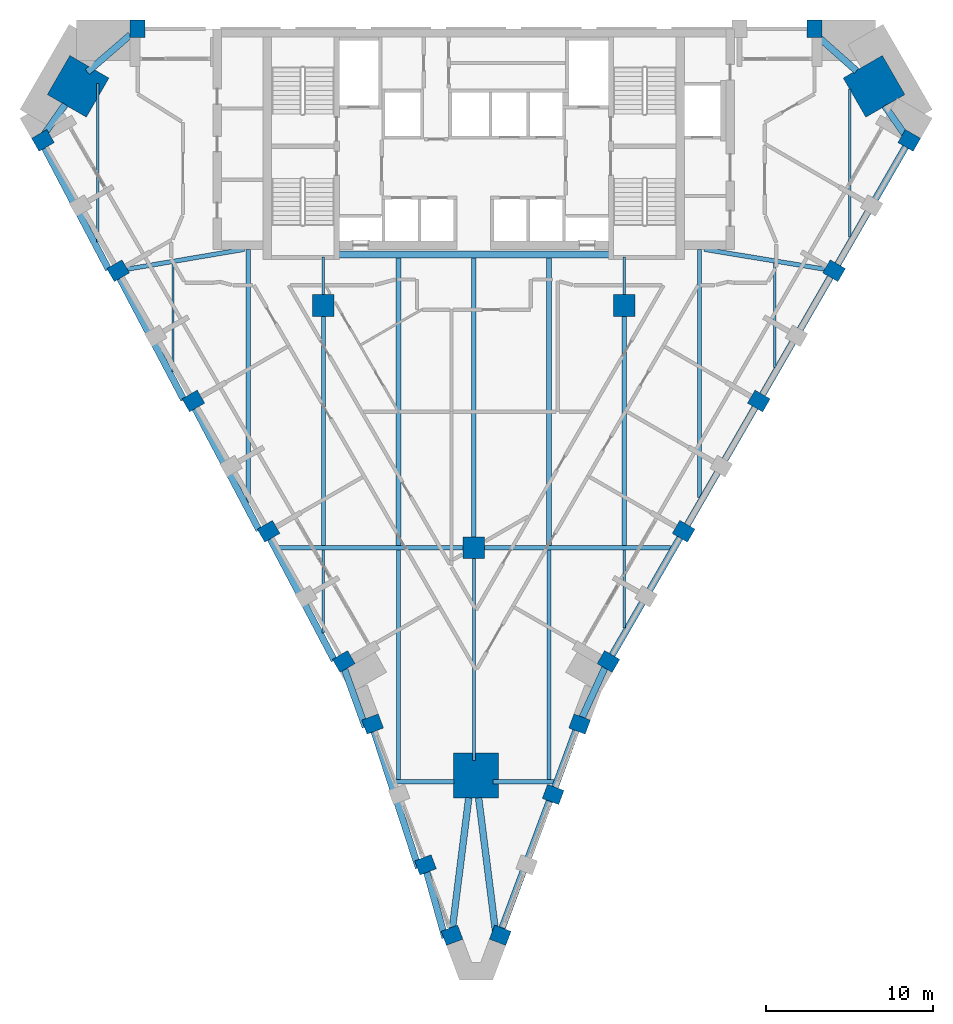
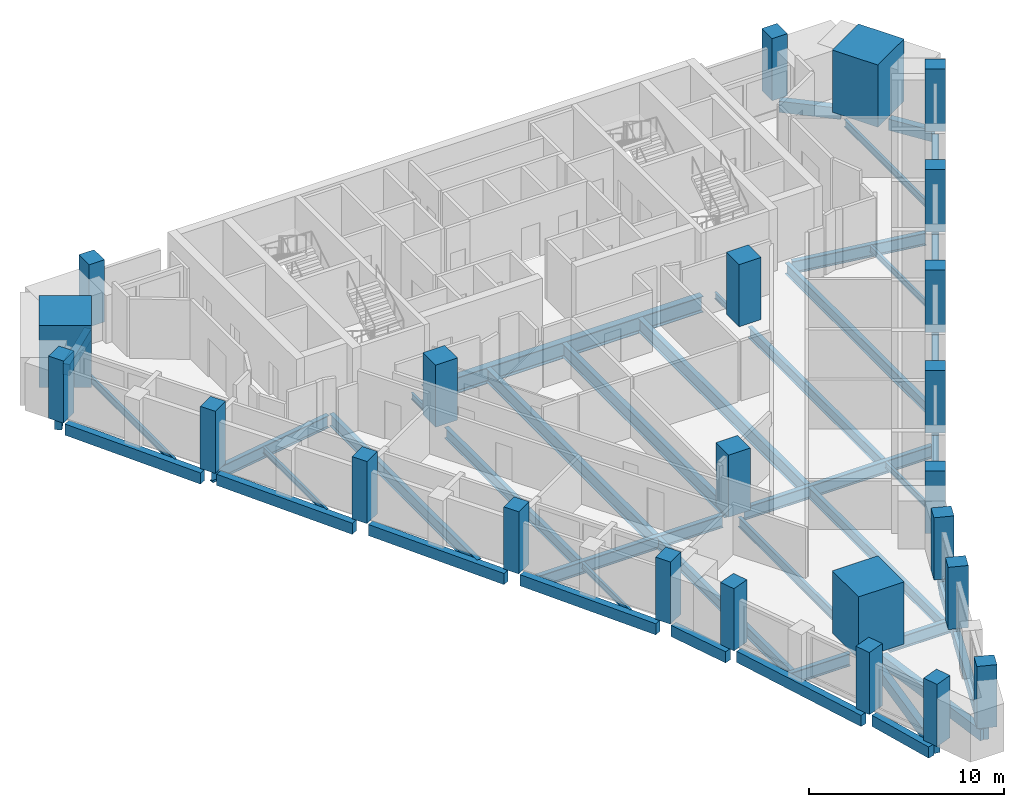
# One storey, part 1 of 9: 45 beams, 24 columns.
"""IFC4 building model written with IfcOpenShell, lengths in metres."""

from ifc_helpers import new_model, si_unit, direction, frame, origin, origin_2d, place, context, subcontext, project, spatial, rectangle, i_section, extrude, material, material_profile, profile_set, type_object, element, save


model = new_model("IFC4")

# Units and contexts
model_context = context("Model", 3, precision=1e-05, world=origin(), true_north=direction((0.0, 1.0)))
body_context = subcontext(model_context, "Body", "Model", "MODEL_VIEW")
ifc_project = project(units=[si_unit("LENGTHUNIT", "METRE"), si_unit("AREAUNIT", "SQUARE_METRE"), si_unit("VOLUMEUNIT", "CUBIC_METRE"), si_unit("PLANEANGLEUNIT", "RADIAN"), si_unit("MASSUNIT", "GRAM", prefix="KILO")], contexts=[model_context])

# Site, building, storey
site_placement = place(None, origin())
site = spatial("IfcSite", under=ifc_project, at=site_placement, CompositionType="ELEMENT")
building_placement = place(site_placement, origin())
building = spatial("IfcBuilding", under=site, at=building_placement, Name="Calabash Gate Tower", CompositionType="ELEMENT")
storey_placement = place(building_placement, frame((0.0, 0.0, 156.300048828125)))
storey = spatial("IfcBuildingStorey", under=building, at=storey_placement, Name="L36", CompositionType="ELEMENT", Elevation=156.300048828125)

# Columns
ifc_material_1 = material(Name="Concrete C70/85", Category="concrete")
ifc_material_profile_1 = material_profile(ifc_material_1, rectangle(XDim=1.300048828125, YDim=1.300048828125, at=origin_2d()))
ifc_profile_set_1 = profile_set([ifc_material_profile_1], Name="Concrete C70/85")
column_type_1 = type_object("IfcColumnType", Name="Interior column RC 1300x1300 Concrete C70/85", PredefinedType="COLUMN", material=ifc_profile_set_1)
for number, where, z_axis, x_axis, name in (
    (1, (-9.0, 2.5, 0.0), (0.0, 0.0, 1.0), (1.0, 0.0, 0.0), "Interior column L36 I0"),
    (2, (9.0, 2.5, 0.0), (0.0, 0.0, 1.0), (1.0, 0.0, 0.0), "Interior column L36 I1"),
    (3, (0.0, -12.0, 0.0), (0.0, 0.0, 1.0), (1.0, 0.0, 0.0), "Interior column L36 I2"),
):
    element("IfcColumn", number, at=place(storey_placement, frame(where, z_axis=z_axis, x_axis=x_axis)), inside=storey, type_object=column_type_1, Name=name, PredefinedType="COLUMN", context=body_context, shape_type="SweptSolid", body=[
        extrude(rectangle(XDim=1.300048828125, YDim=1.300048828125, at=origin_2d()), origin(), (0.0, 0.0, 1.0), 3.89990234375),
    ])
ifc_material_2 = material(Name="Concrete C70/85", Category="concrete")
ifc_material_profile_2 = material_profile(ifc_material_2, rectangle(XDim=2.699951171875, YDim=2.699951171875, at=origin_2d()))
ifc_profile_set_2 = profile_set([ifc_material_profile_2], Name="Concrete C70/85")
column_type_2 = type_object("IfcColumnType", Name="Mega column RC 2700x2700 Concrete C70/85", PredefinedType="COLUMN", material=ifc_profile_set_2)
for number, where, z_axis, x_axis, name in (
    (4, (-23.674072265625, 15.610107421875, 0.0), (0.0, 0.0, 1.0), (0.866025386331, -0.50000003023, 0.0), "Mega column L36 NW"),
    (5, (23.948974609375, 15.610107421875, 0.0), (0.0, 0.0, 1.0), (-0.866025386331, -0.50000003023, 0.0), "Mega column L36 NE"),
    (6, (0.136962890625, -25.633056640625, 0.0), (0.0, 0.0, 1.0), (0.0, 1.0, 0.0), "Mega column L36 S"),
):
    element("IfcColumn", number, at=place(storey_placement, frame(where, z_axis=z_axis, x_axis=x_axis)), inside=storey, type_object=column_type_2, Name=name, PredefinedType="COLUMN", context=body_context, shape_type="SweptSolid", body=[
        extrude(rectangle(XDim=2.699951171875, YDim=2.699951171875, at=origin_2d()), origin(), (0.0, 0.0, 1.0), 3.89990234375),
    ])
ifc_material_3 = material(Name="Concrete C60/75", Category="concrete")
ifc_material_profile_3 = material_profile(ifc_material_3, rectangle(XDim=0.89990234375, YDim=1.050048828125, at=origin_2d()))
ifc_profile_set_3 = profile_set([ifc_material_profile_3], Name="Concrete C60/75")
column_type_3 = type_object("IfcColumnType", Name="Perimeter column RC 900x1050 Concrete C60/75", PredefinedType="COLUMN", material=ifc_profile_set_3)
for number, where, z_axis, x_axis, name in (
    (7, (-25.779052734375, 12.3720703125, 0.0), (0.0, 0.0, 1.0), (0.499999984885, -0.866025412511, 0.0), "Perimeter column L36 P20"),
    (8, (-21.279052734375, 4.576904296875, 0.0), (0.0, 0.0, 1.0), (0.499999984885, -0.866025412511, 0.0), "Perimeter column L36 P00"),
    (9, (-16.779052734375, -3.217041015625, 0.0), (0.0, 0.0, 1.0), (0.499999984885, -0.866025412511, 0.0), "Perimeter column L36 P01"),
    (10, (-12.279052734375, -11.010986328125, 0.0), (0.0, 0.0, 1.0), (0.499999984885, -0.866025412511, 0.0), "Perimeter column L36 P02"),
    (11, (-7.779052734375, -18.802978515625, 0.0), (0.0, 0.0, 1.0), (0.499999984885, -0.866025412511, 0.0), "Perimeter column L36 P03"),
    (12, (-6.053955078125, -22.5439453125, 0.0), (0.0, 0.0, 1.0), (0.351822500991, -0.936066732555, 0.0), "Perimeter column L36 P25"),
    (13, (-2.887939453125, -30.968994140625, 0.0), (0.0, 0.0, 1.0), (0.351822500991, -0.936066732555, 0.0), "Perimeter column L36 P26"),
    (14, (-1.303955078125, -35.180908203125, 0.0), (0.0, 0.0, 1.0), (0.351822500991, -0.936066732555, 0.0), "Perimeter column L36 P27"),
    (15, (1.5791015625, -35.180908203125, 0.0), (0.0, 0.0, 1.0), (0.351822451979, 0.936066750977, 0.0), "Perimeter column L36 P28"),
    (16, (4.74609375, -26.757080078125, 0.0), (0.0, 0.0, 1.0), (0.351822451979, 0.936066750977, 0.0), "Perimeter column L36 P08"),
    (17, (6.3291015625, -22.5439453125, 0.0), (0.0, 0.0, 1.0), (0.351822451979, 0.936066750977, 0.0), "Perimeter column L36 P29"),
    (18, (8.053955078125, -18.802978515625, 0.0), (0.0, 0.0, 1.0), (0.500000015115, 0.866025395058, 0.0), "Perimeter column L36 P09"),
    (19, (12.553955078125, -11.010986328125, 0.0), (0.0, 0.0, 1.0), (0.500000015115, 0.866025395058, 0.0), "Perimeter column L36 P10"),
    (20, (17.053955078125, -3.217041015625, 0.0), (0.0, 0.0, 1.0), (0.500000015115, 0.866025395058, 0.0), "Perimeter column L36 P11"),
    (21, (21.553955078125, 4.576904296875, 0.0), (0.0, 0.0, 1.0), (0.500000015115, 0.866025395058, 0.0), "Perimeter column L36 P12"),
    (22, (26.053955078125, 12.3720703125, 0.0), (0.0, 0.0, 1.0), (0.500000015115, 0.866025395058, 0.0), "Perimeter column L36 P13"),
    (23, (20.386962890625, 19.052978515625, 0.0), (0.0, 0.0, 1.0), (-1.0, 0.0, 0.0), "Perimeter column L36 P24"),
    (24, (-20.113037109375, 19.052978515625, 0.0), (0.0, 0.0, 1.0), (-1.0, 0.0, 0.0), "Perimeter column L36 P17"),
):
    element("IfcColumn", number, at=place(storey_placement, frame(where, z_axis=z_axis, x_axis=x_axis)), inside=storey, type_object=column_type_3, Name=name, PredefinedType="COLUMN", context=body_context, shape_type="SweptSolid", body=[
        extrude(rectangle(XDim=0.89990234375, YDim=1.050048828125, at=origin_2d()), origin(), (0.0, 0.0, 1.0), 3.89990234375),
    ])

# Beams
ifc_material_4 = material(Name="Concrete C50/60", Category="concrete")
ifc_material_profile_4 = material_profile(ifc_material_4, rectangle(XDim=0.39990234375, YDim=0.699951171875, at=origin_2d()))
ifc_profile_set_4 = profile_set([ifc_material_profile_4], Name="Concrete C50/60")
beam_type_1 = type_object("IfcBeamType", Name="Edge beam RC 400x700 Concrete C50/60", PredefinedType="BEAM", material=ifc_profile_set_4)
beam_1_placement = place(storey_placement, frame((-16.68408203125, -3.65087890625, -0.52001953125), z_axis=(0.465570473205, -0.885010810374, 0.0), x_axis=(0.885010810374, 0.465570473205, 0.0)))
element("IfcBeam", 25, at=beam_1_placement, inside=storey, type_object=beam_type_1, Name="Edge beam L36 1", PredefinedType="BEAM", context=body_context, shape_type="SweptSolid", body=[
    extrude(rectangle(XDim=0.39990234375, YDim=0.699951171875, at=origin_2d()), origin(), (0.0, 0.0, 1.0), 8.235107421875),
])
beam_2_placement = place(storey_placement, frame((-12.18408203125, -11.443115234375, -0.52001953125), z_axis=(0.465484978649, -0.885055780532, 0.0), x_axis=(0.885055780532, 0.465484978649, 0.0)))
element("IfcBeam", 26, at=beam_2_placement, inside=storey, type_object=beam_type_1, Name="Edge beam L36 2", PredefinedType="BEAM", context=body_context, shape_type="SweptSolid", body=[
    extrude(rectangle(XDim=0.39990234375, YDim=0.699951171875, at=origin_2d()), origin(), (0.0, 0.0, 1.0), 8.236572265625),
])
beam_3_placement = place(storey_placement, frame((-7.73291015625, -19.26904296875, -0.52001953125), z_axis=(0.338776020722, -0.940867051067, 0.0), x_axis=(0.940867051067, 0.338776020722, 0.0)))
element("IfcBeam", 27, at=beam_3_placement, inside=storey, type_object=beam_type_1, Name="Edge beam L36 3", PredefinedType="BEAM", context=body_context, shape_type="SweptSolid", body=[
    extrude(rectangle(XDim=0.39990234375, YDim=0.699951171875, at=origin_2d()), origin(), (0.0, 0.0, 1.0), 3.6689453125),
])
beam_4_placement = place(storey_placement, frame((-5.970947265625, -22.962890625, -0.52001953125), z_axis=(0.309089924102, -0.951032816899, 0.0), x_axis=(0.951032816899, 0.309089924102, 0.0)))
element("IfcBeam", 28, at=beam_4_placement, inside=storey, type_object=beam_type_1, Name="Edge beam L36 4", PredefinedType="BEAM", context=body_context, shape_type="SweptSolid", body=[
    extrude(rectangle(XDim=0.39990234375, YDim=0.699951171875, at=origin_2d()), origin(), (0.0, 0.0, 1.0), 8.599365234375),
])
beam_5_placement = place(storey_placement, frame((-2.81591796875, -31.406005859375, -0.52001953125), z_axis=(0.269004169769, -0.963139012109, 0.0), x_axis=(0.963139012109, 0.269004169769, 0.0)))
element("IfcBeam", 29, at=beam_5_placement, inside=storey, type_object=beam_type_1, Name="Edge beam L36 5", PredefinedType="BEAM", context=body_context, shape_type="SweptSolid", body=[
    extrude(rectangle(XDim=0.39990234375, YDim=0.699951171875, at=origin_2d()), origin(), (0.0, 0.0, 1.0), 4.081298828125),
])
beam_6_placement = place(storey_placement, frame((-1.3330078125, -35.196044921875, -0.52001953125), z_axis=(0.124240929665, 0.99225208057, 0.0), x_axis=(-0.99225208057, 0.124240929665, 0.0)))
element("IfcBeam", 30, at=beam_6_placement, inside=storey, type_object=beam_type_1, Name="Edge beam L36 6", PredefinedType="BEAM", context=body_context, shape_type="SweptSolid", body=[
    extrude(rectangle(XDim=0.39990234375, YDim=0.699951171875, at=origin_2d()), origin(), (0.0, 0.0, 1.0), 8.306396484375),
])
beam_7_placement = place(storey_placement, frame((0.287109375, -26.9541015625, -0.52001953125), z_axis=(0.125640473024, -0.99207583961, 0.0), x_axis=(0.99207583961, 0.125640473024, 0.0)))
element("IfcBeam", 31, at=beam_7_placement, inside=storey, type_object=beam_type_1, Name="Edge beam L36 7", PredefinedType="BEAM", context=body_context, shape_type="SweptSolid", body=[
    extrude(rectangle(XDim=0.39990234375, YDim=0.699951171875, at=origin_2d()), origin(), (0.0, 0.0, 1.0), 8.47607421875),
])
beam_8_placement = place(storey_placement, frame((1.451904296875, -35.39208984375, -0.52001953125), z_axis=(0.349546583338, 0.936918985866, 0.0), x_axis=(-0.936918985866, 0.349546583338, 0.0)))
element("IfcBeam", 32, at=beam_8_placement, inside=storey, type_object=beam_type_1, Name="Edge beam L36 8", PredefinedType="BEAM", context=body_context, shape_type="SweptSolid", body=[
    extrude(rectangle(XDim=0.39990234375, YDim=0.699951171875, at=origin_2d()), origin(), (0.0, 0.0, 1.0), 8.808837890625),
])
beam_9_placement = place(storey_placement, frame((4.618896484375, -26.968017578125, -0.52001953125), z_axis=(0.346923175708, 0.93789354948, 0.0), x_axis=(-0.93789354948, 0.346923175708, 0.0)))
element("IfcBeam", 33, at=beam_9_placement, inside=storey, type_object=beam_type_1, Name="Edge beam L36 9", PredefinedType="BEAM", context=body_context, shape_type="SweptSolid", body=[
    extrude(rectangle(XDim=0.39990234375, YDim=0.699951171875, at=origin_2d()), origin(), (0.0, 0.0, 1.0), 4.3095703125),
])
beam_10_placement = place(storey_placement, frame((6.199951171875, -22.763916015625, -0.52001953125), z_axis=(0.416507314735, 0.909132364825, 0.0), x_axis=(-0.909132364825, 0.416507314735, 0.0)))
element("IfcBeam", 34, at=beam_10_placement, inside=storey, type_object=beam_type_1, Name="Edge beam L36 10", PredefinedType="BEAM", context=body_context, shape_type="SweptSolid", body=[
    extrude(rectangle(XDim=0.39990234375, YDim=0.699951171875, at=origin_2d()), origin(), (0.0, 0.0, 1.0), 3.935546875),
])
beam_11_placement = place(storey_placement, frame((8.06298828125, -18.7900390625, -0.52001953125), z_axis=(0.50002821712, 0.86600911201, 0.0), x_axis=(-0.86600911201, 0.50002821712, 0.0)))
element("IfcBeam", 35, at=beam_11_placement, inside=storey, type_object=beam_type_1, Name="Edge beam L36 11", PredefinedType="BEAM", context=body_context, shape_type="SweptSolid", body=[
    extrude(rectangle(XDim=0.39990234375, YDim=0.699951171875, at=origin_2d()), origin(), (0.0, 0.0, 1.0), 8.54736328125),
])
beam_12_placement = place(storey_placement, frame((12.56298828125, -10.992919921875, -0.52001953125), z_axis=(0.500189053503, 0.865916226177, 0.0), x_axis=(-0.865916226177, 0.500189053503, 0.0)))
element("IfcBeam", 36, at=beam_12_placement, inside=storey, type_object=beam_type_1, Name="Edge beam L36 12", PredefinedType="BEAM", context=body_context, shape_type="SweptSolid", body=[
    extrude(rectangle(XDim=0.39990234375, YDim=0.699951171875, at=origin_2d()), origin(), (0.0, 0.0, 1.0), 8.544677734375),
])
for number, where, z_axis, x_axis, name in (
    (37, (17.06298828125, -3.200927734375, -0.52001953125), (0.500090067066, 0.865973397295, 0.0), (-0.865973397295, 0.500090067066, 0.0), "Edge beam L36 13"),
    (38, (21.56298828125, 4.593017578125, -0.52001953125), (0.500090067066, 0.865973397295, 0.0), (-0.865973397295, 0.500090067066, 0.0), "Edge beam L36 14"),
):
    element("IfcBeam", number, at=place(storey_placement, frame(where, z_axis=z_axis, x_axis=x_axis)), inside=storey, type_object=beam_type_1, Name=name, PredefinedType="BEAM", context=body_context, shape_type="SweptSolid", body=[
        extrude(rectangle(XDim=0.39990234375, YDim=0.699951171875, at=origin_2d()), origin(), (0.0, 0.0, 1.0), 8.54638671875),
    ])
beam_13_placement = place(storey_placement, frame((25.98193359375, 12.44189453125, -0.52001953125), z_axis=(-0.57298674454, 0.81956463478, 0.0), x_axis=(-0.81956463478, -0.57298674454, 0.0)))
element("IfcBeam", 39, at=beam_13_placement, inside=storey, type_object=beam_type_1, Name="Edge beam L36 15", PredefinedType="BEAM", context=body_context, shape_type="SweptSolid", body=[
    extrude(rectangle(XDim=0.39990234375, YDim=0.699951171875, at=origin_2d()), origin(), (0.0, 0.0, 1.0), 2.446533203125),
])
beam_14_placement = place(storey_placement, frame((22.89794921875, 16.533935546875, -0.52001953125), z_axis=(-0.747778716146, 0.663948033869, 0.0), x_axis=(-0.663948033869, -0.747778716146, 0.0)))
element("IfcBeam", 40, at=beam_14_placement, inside=storey, type_object=beam_type_1, Name="Edge beam L36 16", PredefinedType="BEAM", context=body_context, shape_type="SweptSolid", body=[
    extrude(rectangle(XDim=0.39990234375, YDim=0.699951171875, at=origin_2d()), origin(), (0.0, 0.0, 1.0), 3.244384765625),
])
beam_15_placement = place(storey_placement, frame((-20.5458984375, 18.69189453125, -0.52001953125), z_axis=(-0.756580943193, -0.65390005077, 0.0), x_axis=(0.65390005077, -0.756580943193, 0.0)))
element("IfcBeam", 41, at=beam_15_placement, inside=storey, type_object=beam_type_1, Name="Edge beam L36 17", PredefinedType="BEAM", context=body_context, shape_type="SweptSolid", body=[
    extrude(rectangle(XDim=0.39990234375, YDim=0.699951171875, at=origin_2d()), origin(), (0.0, 0.0, 1.0), 3.40234375),
])
beam_16_placement = place(storey_placement, frame((-24.452880859375, 14.528076171875, -0.52001953125), z_axis=(-0.572412684856, -0.819965681121, 0.0), x_axis=(0.819965681121, -0.572412684856, 0.0)))
element("IfcBeam", 42, at=beam_16_placement, inside=storey, type_object=beam_type_1, Name="Edge beam L36 18", PredefinedType="BEAM", context=body_context, shape_type="SweptSolid", body=[
    extrude(rectangle(XDim=0.39990234375, YDim=0.699951171875, at=origin_2d()), origin(), (0.0, 0.0, 1.0), 2.561279296875),
])
beam_17_placement = place(storey_placement, frame((-25.68408203125, 11.93798828125, -0.52001953125), z_axis=(0.465570473205, -0.885010810374, 0.0), x_axis=(0.885010810374, 0.465570473205, 0.0)))
element("IfcBeam", 43, at=beam_17_placement, inside=storey, type_object=beam_type_1, Name="Edge beam L36 19", PredefinedType="BEAM", context=body_context, shape_type="SweptSolid", body=[
    extrude(rectangle(XDim=0.39990234375, YDim=0.699951171875, at=origin_2d()), origin(), (0.0, 0.0, 1.0), 8.235107421875),
])
beam_18_placement = place(storey_placement, frame((-21.18408203125, 4.14306640625, -0.52001953125), z_axis=(0.465619339388, -0.884985102015, 0.0), x_axis=(0.884985102015, 0.465619339388, 0.0)))
element("IfcBeam", 44, at=beam_18_placement, inside=storey, type_object=beam_type_1, Name="Edge beam L36 20", PredefinedType="BEAM", context=body_context, shape_type="SweptSolid", body=[
    extrude(rectangle(XDim=0.39990234375, YDim=0.699951171875, at=origin_2d()), origin(), (0.0, 0.0, 1.0), 8.234130859375),
])
ifc_material_5 = material(Name="Steel ASTM A992 Gr50", Category="steel")
ifc_material_profile_5 = material_profile(ifc_material_5, i_section(OverallWidth=0.1396484375, OverallDepth=0.398681640625, WebThickness=0.00634765625, FlangeThickness=0.0087890625, FilletRadius=0.01025390625, at=origin_2d()))
ifc_profile_set_5 = profile_set([ifc_material_profile_5], Name="Steel ASTM A992 Gr50")
beam_type_2 = type_object("IfcBeamType", Name="Floor beam W16x26 ASTM A992 Gr50", PredefinedType="BEAM", material=ifc_profile_set_5)
beam_19_placement = place(storey_placement, frame((-18.0, -1.492919921875, -0.369140625), z_axis=(0.0, 1.0, 0.0), x_axis=(-1.0, 0.0, 0.0)))
element("IfcBeam", 45, at=beam_19_placement, inside=storey, type_object=beam_type_2, Name="Floor beam L36 2", PredefinedType="BEAM", context=body_context, shape_type="SweptSolid", body=[
    extrude(i_section(OverallWidth=0.1396484375, OverallDepth=0.398681640625, WebThickness=0.00634765625, FlangeThickness=0.0087890625, FilletRadius=0.01025390625, at=origin_2d()), origin(), (0.0, 0.0, 1.0), 6.50390625),
])
beam_20_placement = place(storey_placement, frame((-9.0, -17.0830078125, -0.369140625), z_axis=(0.0, 1.0, 0.0), x_axis=(-1.0, 0.0, 0.0)))
element("IfcBeam", 46, at=beam_20_placement, inside=storey, type_object=beam_type_2, Name="Floor beam L36 4", PredefinedType="BEAM", context=body_context, shape_type="SweptSolid", body=[
    extrude(i_section(OverallWidth=0.1396484375, OverallDepth=0.398681640625, WebThickness=0.00634765625, FlangeThickness=0.0087890625, FilletRadius=0.01025390625, at=origin_2d()), origin(), (0.0, 0.0, 1.0), 4.949951171875),
])
beam_21_placement = place(storey_placement, frame((-9.0, 3.14990234375, -0.369140625), z_axis=(0.0, 1.0, 0.0), x_axis=(-1.0, 0.0, 0.0)))
element("IfcBeam", 47, at=beam_21_placement, inside=storey, type_object=beam_type_2, Name="Floor beam L36 6", PredefinedType="BEAM", context=body_context, shape_type="SweptSolid", body=[
    extrude(i_section(OverallWidth=0.1396484375, OverallDepth=0.398681640625, WebThickness=0.00634765625, FlangeThickness=0.0087890625, FilletRadius=0.01025390625, at=origin_2d()), origin(), (0.0, 0.0, 1.0), 2.253173828125),
])
beam_22_placement = place(storey_placement, frame((9.0, -16.799072265625, -0.369140625), z_axis=(0.0, 1.0, 0.0), x_axis=(-1.0, 0.0, 0.0)))
element("IfcBeam", 48, at=beam_22_placement, inside=storey, type_object=beam_type_2, Name="Floor beam L36 13", PredefinedType="BEAM", context=body_context, shape_type="SweptSolid", body=[
    extrude(i_section(OverallWidth=0.1396484375, OverallDepth=0.398681640625, WebThickness=0.00634765625, FlangeThickness=0.0087890625, FilletRadius=0.01025390625, at=origin_2d()), origin(), (0.0, 0.0, 1.0), 4.666015625),
])
beam_23_placement = place(storey_placement, frame((9.0, 3.14990234375, -0.369140625), z_axis=(0.0, 1.0, 0.0), x_axis=(-1.0, 0.0, 0.0)))
element("IfcBeam", 49, at=beam_23_placement, inside=storey, type_object=beam_type_2, Name="Floor beam L36 15", PredefinedType="BEAM", context=body_context, shape_type="SweptSolid", body=[
    extrude(i_section(OverallWidth=0.1396484375, OverallDepth=0.398681640625, WebThickness=0.00634765625, FlangeThickness=0.0087890625, FilletRadius=0.01025390625, at=origin_2d()), origin(), (0.0, 0.0, 1.0), 2.253173828125),
])
beam_24_placement = place(storey_placement, frame((18.0, -1.2109375, -0.369140625), z_axis=(0.0, 1.0, 0.0), x_axis=(-1.0, 0.0, 0.0)))
element("IfcBeam", 50, at=beam_24_placement, inside=storey, type_object=beam_type_2, Name="Floor beam L36 17", PredefinedType="BEAM", context=body_context, shape_type="SweptSolid", body=[
    extrude(i_section(OverallWidth=0.1396484375, OverallDepth=0.398681640625, WebThickness=0.00634765625, FlangeThickness=0.0087890625, FilletRadius=0.01025390625, at=origin_2d()), origin(), (0.0, 0.0, 1.0), 6.2509765625),
])
ifc_material_6 = material(Name="Steel ASTM A992 Gr50", Category="steel")
ifc_material_profile_6 = material_profile(ifc_material_6, i_section(OverallWidth=0.15234375, OverallDepth=0.44970703125, WebThickness=0.007568359375, FlangeThickness=0.0107421875, FilletRadius=0.01025390625, at=origin_2d()))
ifc_profile_set_6 = profile_set([ifc_material_profile_6], Name="Steel ASTM A992 Gr50")
beam_type_3 = type_object("IfcBeamType", Name="Floor beam W18x35 ASTM A992 Gr50", PredefinedType="BEAM", material=ifc_profile_set_6)
beam_25_placement = place(storey_placement, frame((-22.5, 6.300048828125, -0.39306640625), z_axis=(0.0, 1.0, 0.0), x_axis=(-1.0, 0.0, 0.0)))
element("IfcBeam", 51, at=beam_25_placement, inside=storey, type_object=beam_type_3, Name="Floor beam L36 1", PredefinedType="BEAM", context=body_context, shape_type="SweptSolid", body=[
    extrude(i_section(OverallWidth=0.15234375, OverallDepth=0.44970703125, WebThickness=0.007568359375, FlangeThickness=0.0107421875, FilletRadius=0.01025390625, at=origin_2d()), origin(), (0.0, 0.0, 1.0), 9.47705078125),
])
beam_26_placement = place(storey_placement, frame((22.5, 6.5830078125, -0.39306640625), z_axis=(0.0, 1.0, 0.0), x_axis=(-1.0, 0.0, 0.0)))
element("IfcBeam", 52, at=beam_26_placement, inside=storey, type_object=beam_type_3, Name="Floor beam L36 18", PredefinedType="BEAM", context=body_context, shape_type="SweptSolid", body=[
    extrude(i_section(OverallWidth=0.15234375, OverallDepth=0.44970703125, WebThickness=0.007568359375, FlangeThickness=0.0107421875, FilletRadius=0.01025390625, at=origin_2d()), origin(), (0.0, 0.0, 1.0), 8.863037109375),
])
ifc_material_7 = material(Name="Steel ASTM A992 Gr50", Category="steel")
ifc_material_profile_7 = material_profile(ifc_material_7, i_section(OverallWidth=0.1787109375, OverallDepth=0.60205078125, WebThickness=0.010986328125, FlangeThickness=0.014892578125, FilletRadius=0.0126953125, at=origin_2d()))
ifc_profile_set_7 = profile_set([ifc_material_profile_7], Name="Steel ASTM A992 Gr50")
beam_type_4 = type_object("IfcBeamType", Name="Floor beam W24x62 ASTM A992 Gr50", PredefinedType="BEAM", material=ifc_profile_set_7)
beam_27_placement = place(storey_placement, frame((0.0, -24.712890625, -0.470947265625), z_axis=(0.0, 1.0, 0.0), x_axis=(-1.0, 0.0, 0.0)))
element("IfcBeam", 53, at=beam_27_placement, inside=storey, type_object=beam_type_4, Name="Floor beam L36 9", PredefinedType="BEAM", context=body_context, shape_type="SweptSolid", body=[
    extrude(i_section(OverallWidth=0.1787109375, OverallDepth=0.60205078125, WebThickness=0.010986328125, FlangeThickness=0.014892578125, FilletRadius=0.0126953125, at=origin_2d()), origin(), (0.0, 0.0, 1.0), 12.06298828125),
])
ifc_material_8 = material(Name="Steel ASTM A992 Gr50", Category="steel")
ifc_material_profile_8 = material_profile(ifc_material_8, i_section(OverallWidth=0.25390625, OverallDepth=0.67822265625, WebThickness=0.01171875, FlangeThickness=0.016357421875, FilletRadius=0.01513671875, at=origin_2d()))
ifc_profile_set_8 = profile_set([ifc_material_profile_8], Name="Steel ASTM A992 Gr50")
beam_type_5 = type_object("IfcBeamType", Name="Floor beam W27x84 ASTM A992 Gr50", PredefinedType="BEAM", material=ifc_profile_set_8)
beam_28_placement = place(storey_placement, frame((-9.0, -11.866943359375, -0.509033203125), z_axis=(0.0, 1.0, 0.0), x_axis=(-1.0, 0.0, 0.0)))
element("IfcBeam", 54, at=beam_28_placement, inside=storey, type_object=beam_type_5, Name="Floor beam L36 5", PredefinedType="BEAM", context=body_context, shape_type="SweptSolid", body=[
    extrude(i_section(OverallWidth=0.25390625, OverallDepth=0.67822265625, WebThickness=0.01171875, FlangeThickness=0.016357421875, FilletRadius=0.01513671875, at=origin_2d()), origin(), (0.0, 0.0, 1.0), 13.717041015625),
])
beam_29_placement = place(storey_placement, frame((-4.5, -25.89404296875, -0.509033203125), z_axis=(0.0, 1.0, 0.0), x_axis=(-1.0, 0.0, 0.0)))
element("IfcBeam", 55, at=beam_29_placement, inside=storey, type_object=beam_type_5, Name="Floor beam L36 7", PredefinedType="BEAM", context=body_context, shape_type="SweptSolid", body=[
    extrude(i_section(OverallWidth=0.25390625, OverallDepth=0.67822265625, WebThickness=0.01171875, FlangeThickness=0.016357421875, FilletRadius=0.01513671875, at=origin_2d()), origin(), (0.0, 0.0, 1.0), 13.760986328125),
])
beam_30_placement = place(storey_placement, frame((4.5, -25.866943359375, -0.509033203125), z_axis=(0.0, 1.0, 0.0), x_axis=(-1.0, 0.0, 0.0)))
element("IfcBeam", 56, at=beam_30_placement, inside=storey, type_object=beam_type_5, Name="Floor beam L36 11", PredefinedType="BEAM", context=body_context, shape_type="SweptSolid", body=[
    extrude(i_section(OverallWidth=0.25390625, OverallDepth=0.67822265625, WebThickness=0.01171875, FlangeThickness=0.016357421875, FilletRadius=0.01513671875, at=origin_2d()), origin(), (0.0, 0.0, 1.0), 13.73388671875),
])
beam_31_placement = place(storey_placement, frame((9.0, -11.866943359375, -0.509033203125), z_axis=(0.0, 1.0, 0.0), x_axis=(-1.0, 0.0, 0.0)))
element("IfcBeam", 57, at=beam_31_placement, inside=storey, type_object=beam_type_5, Name="Floor beam L36 14", PredefinedType="BEAM", context=body_context, shape_type="SweptSolid", body=[
    extrude(i_section(OverallWidth=0.25390625, OverallDepth=0.67822265625, WebThickness=0.01171875, FlangeThickness=0.016357421875, FilletRadius=0.01513671875, at=origin_2d()), origin(), (0.0, 0.0, 1.0), 13.717041015625),
])
beam_32_placement = place(storey_placement, frame((13.5, -9.0029296875, -0.509033203125), z_axis=(0.0, 1.0, 0.0), x_axis=(-1.0, 0.0, 0.0)))
element("IfcBeam", 58, at=beam_32_placement, inside=storey, type_object=beam_type_5, Name="Floor beam L36 16", PredefinedType="BEAM", context=body_context, shape_type="SweptSolid", body=[
    extrude(i_section(OverallWidth=0.25390625, OverallDepth=0.67822265625, WebThickness=0.01171875, FlangeThickness=0.016357421875, FilletRadius=0.01513671875, at=origin_2d()), origin(), (0.0, 0.0, 1.0), 14.85595703125),
])
ifc_material_9 = material(Name="Steel ASTM A992 Gr50", Category="steel")
ifc_material_profile_9 = material_profile(ifc_material_9, i_section(OverallWidth=0.2666015625, OverallDepth=0.7568359375, WebThickness=0.013916015625, FlangeThickness=0.019287109375, FilletRadius=0.0166015625, at=origin_2d()))
ifc_profile_set_9 = profile_set([ifc_material_profile_9], Name="Steel ASTM A992 Gr50")
beam_type_6 = type_object("IfcBeamType", Name="Floor beam W30x108 ASTM A992 Gr50", PredefinedType="BEAM", material=ifc_profile_set_9)
beam_33_placement = place(storey_placement, frame((-13.5, -9.2890625, -0.548095703125), z_axis=(0.0, 1.0, 0.0), x_axis=(-1.0, 0.0, 0.0)))
element("IfcBeam", 59, at=beam_33_placement, inside=storey, type_object=beam_type_6, Name="Floor beam L36 3", PredefinedType="BEAM", context=body_context, shape_type="SweptSolid", body=[
    extrude(i_section(OverallWidth=0.2666015625, OverallDepth=0.7568359375, WebThickness=0.013916015625, FlangeThickness=0.019287109375, FilletRadius=0.0166015625, at=origin_2d()), origin(), (0.0, 0.0, 1.0), 15.14208984375),
])
ifc_material_10 = material(Name="Steel ASTM A992 Gr50", Category="steel")
ifc_material_profile_10 = material_profile(ifc_material_10, i_section(OverallWidth=0.2919921875, OverallDepth=0.845703125, WebThickness=0.015380859375, FlangeThickness=0.0244140625, FilletRadius=0.017822265625, at=origin_2d()))
ifc_profile_set_10 = profile_set([ifc_material_profile_10], Name="Steel ASTM A992 Gr50")
beam_type_7 = type_object("IfcBeamType", Name="Floor beam W33x141 ASTM A992 Gr50", PredefinedType="BEAM", material=ifc_profile_set_10)
beam_34_placement = place(storey_placement, frame((-4.5, -11.866943359375, -0.593017578125), z_axis=(0.0, 1.0, 0.0), x_axis=(-1.0, 0.0, 0.0)))
element("IfcBeam", 60, at=beam_34_placement, inside=storey, type_object=beam_type_7, Name="Floor beam L36 8", PredefinedType="BEAM", context=body_context, shape_type="SweptSolid", body=[
    extrude(i_section(OverallWidth=0.2919921875, OverallDepth=0.845703125, WebThickness=0.015380859375, FlangeThickness=0.0244140625, FilletRadius=0.017822265625, at=origin_2d()), origin(), (0.0, 0.0, 1.0), 17.218994140625),
])
beam_35_placement = place(storey_placement, frame((0.0, -11.35009765625, -0.593017578125), z_axis=(0.0, 1.0, 0.0), x_axis=(-1.0, 0.0, 0.0)))
element("IfcBeam", 61, at=beam_35_placement, inside=storey, type_object=beam_type_7, Name="Floor beam L36 10", PredefinedType="BEAM", context=body_context, shape_type="SweptSolid", body=[
    extrude(i_section(OverallWidth=0.2919921875, OverallDepth=0.845703125, WebThickness=0.015380859375, FlangeThickness=0.0244140625, FilletRadius=0.017822265625, at=origin_2d()), origin(), (0.0, 0.0, 1.0), 16.7021484375),
])
beam_36_placement = place(storey_placement, frame((4.5, -11.866943359375, -0.593017578125), z_axis=(0.0, 1.0, 0.0), x_axis=(-1.0, 0.0, 0.0)))
element("IfcBeam", 62, at=beam_36_placement, inside=storey, type_object=beam_type_7, Name="Floor beam L36 12", PredefinedType="BEAM", context=body_context, shape_type="SweptSolid", body=[
    extrude(i_section(OverallWidth=0.2919921875, OverallDepth=0.845703125, WebThickness=0.015380859375, FlangeThickness=0.0244140625, FilletRadius=0.017822265625, at=origin_2d()), origin(), (0.0, 0.0, 1.0), 17.218994140625),
])
ifc_material_11 = material(Name="Steel ASTM A992 Gr50", Category="steel")
ifc_material_profile_11 = material_profile(ifc_material_11, i_section(OverallWidth=0.2666015625, OverallDepth=0.77978515625, WebThickness=0.0166015625, FlangeThickness=0.030029296875, FilletRadius=0.0166015625, at=origin_2d()))
ifc_profile_set_11 = profile_set([ifc_material_profile_11], Name="Steel ASTM A992 Gr50")
beam_type_8 = type_object("IfcBeamType", Name="Girder W30x148 ASTM A992 Gr50", PredefinedType="BEAM", material=ifc_profile_set_11)
beam_37_placement = place(storey_placement, frame((-21.3701171875, 4.56201171875, -0.56005859375), z_axis=(0.985896087356, 0.167358611778, 0.0), x_axis=(-0.167358611778, 0.985896087356, 0.0)))
element("IfcBeam", 63, at=beam_37_placement, inside=storey, type_object=beam_type_8, Name="Girder L36 2", PredefinedType="BEAM", context=body_context, shape_type="SweptSolid", body=[
    extrude(i_section(OverallWidth=0.2666015625, OverallDepth=0.77978515625, WebThickness=0.0166015625, FlangeThickness=0.030029296875, FilletRadius=0.0166015625, at=origin_2d()), origin(), (0.0, 0.0, 1.0), 7.7431640625),
])
beam_38_placement = place(storey_placement, frame((21.031982421875, 4.6630859375, -0.56005859375), z_axis=(-0.986668449856, 0.162743264251, 0.0), x_axis=(-0.162743264251, -0.986668449856, 0.0)))
element("IfcBeam", 64, at=beam_38_placement, inside=storey, type_object=beam_type_8, Name="Girder L36 3", PredefinedType="BEAM", context=body_context, shape_type="SweptSolid", body=[
    extrude(i_section(OverallWidth=0.2666015625, OverallDepth=0.77978515625, WebThickness=0.0166015625, FlangeThickness=0.030029296875, FilletRadius=0.0166015625, at=origin_2d()), origin(), (0.0, 0.0, 1.0), 7.341796875),
])
beam_39_placement = place(storey_placement, frame((-11.677978515625, -12.0, -0.56005859375), z_axis=(1.0, 0.0, 0.0), x_axis=(0.0, 1.0, 0.0)))
element("IfcBeam", 65, at=beam_39_placement, inside=storey, type_object=beam_type_8, Name="Girder L36 4", PredefinedType="BEAM", context=body_context, shape_type="SweptSolid", body=[
    extrude(i_section(OverallWidth=0.2666015625, OverallDepth=0.77978515625, WebThickness=0.0166015625, FlangeThickness=0.030029296875, FilletRadius=0.0166015625, at=origin_2d()), origin(), (0.0, 0.0, 1.0), 11.028076171875),
])
beam_40_placement = place(storey_placement, frame((0.64990234375, -12.0, -0.56005859375), z_axis=(1.0, 0.0, 0.0), x_axis=(0.0, 1.0, 0.0)))
element("IfcBeam", 66, at=beam_40_placement, inside=storey, type_object=beam_type_8, Name="Girder L36 5", PredefinedType="BEAM", context=body_context, shape_type="SweptSolid", body=[
    extrude(i_section(OverallWidth=0.2666015625, OverallDepth=0.77978515625, WebThickness=0.0166015625, FlangeThickness=0.030029296875, FilletRadius=0.0166015625, at=origin_2d()), origin(), (0.0, 0.0, 1.0), 11.123046875),
])
beam_41_placement = place(storey_placement, frame((-4.800048828125, -26.0, -0.56005859375), z_axis=(1.0, 0.0, 0.0), x_axis=(0.0, 1.0, 0.0)))
element("IfcBeam", 67, at=beam_41_placement, inside=storey, type_object=beam_type_8, Name="Girder L36 6", PredefinedType="BEAM", context=body_context, shape_type="SweptSolid", body=[
    extrude(i_section(OverallWidth=0.2666015625, OverallDepth=0.77978515625, WebThickness=0.0166015625, FlangeThickness=0.030029296875, FilletRadius=0.0166015625, at=origin_2d()), origin(), (0.0, 0.0, 1.0), 3.612060546875),
])
beam_42_placement = place(storey_placement, frame((1.156982421875, -26.0, -0.56005859375), z_axis=(1.0, 0.0, 0.0), x_axis=(0.0, 1.0, 0.0)))
element("IfcBeam", 68, at=beam_42_placement, inside=storey, type_object=beam_type_8, Name="Girder L36 7", PredefinedType="BEAM", context=body_context, shape_type="SweptSolid", body=[
    extrude(i_section(OverallWidth=0.2666015625, OverallDepth=0.77978515625, WebThickness=0.0166015625, FlangeThickness=0.030029296875, FilletRadius=0.0166015625, at=origin_2d()), origin(), (0.0, 0.0, 1.0), 3.64013671875),
])
ifc_material_12 = material(Name="Steel ASTM A992 Gr50", Category="steel")
ifc_material_profile_12 = material_profile(ifc_material_12, i_section(OverallWidth=0.4013671875, OverallDepth=1.000732421875, WebThickness=0.01904296875, FlangeThickness=0.0361328125, FilletRadius=0.030029296875, at=origin_2d()))
ifc_profile_set_12 = profile_set([ifc_material_profile_12], Name="Steel ASTM A992 Gr50")
beam_type_9 = type_object("IfcBeamType", Name="Girder W40x249 ASTM A992 Gr50", PredefinedType="BEAM", material=ifc_profile_set_12)
beam_43_placement = place(storey_placement, frame((-8.25, 5.552978515625, -0.670166015625), z_axis=(1.0, 0.0, 0.0), x_axis=(0.0, 1.0, 0.0)))
element("IfcBeam", 69, at=beam_43_placement, inside=storey, type_object=beam_type_9, Name="Girder L36 1", PredefinedType="BEAM", context=body_context, shape_type="SweptSolid", body=[
    extrude(i_section(OverallWidth=0.4013671875, OverallDepth=1.000732421875, WebThickness=0.01904296875, FlangeThickness=0.0361328125, FilletRadius=0.030029296875, at=origin_2d()), origin(), (0.0, 0.0, 1.0), 16.5),
])

save(model, "model.ifc")
